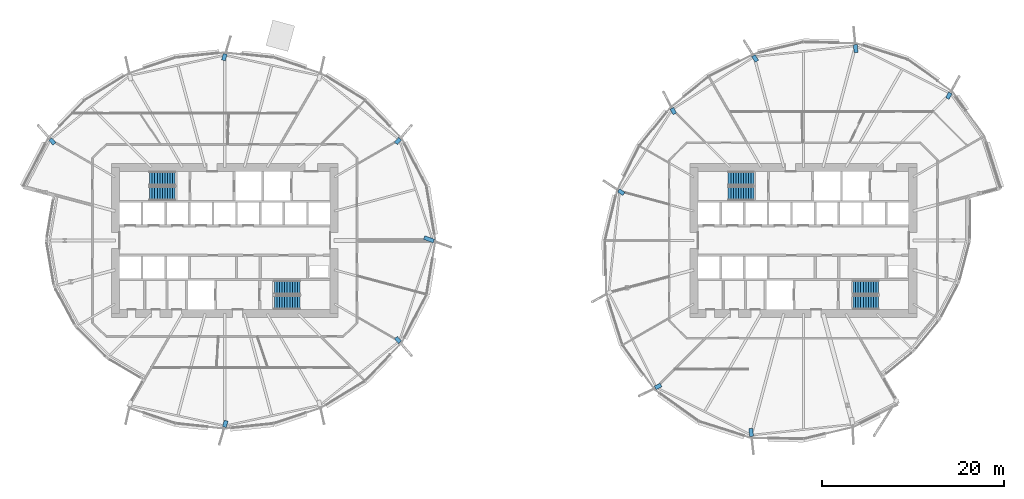
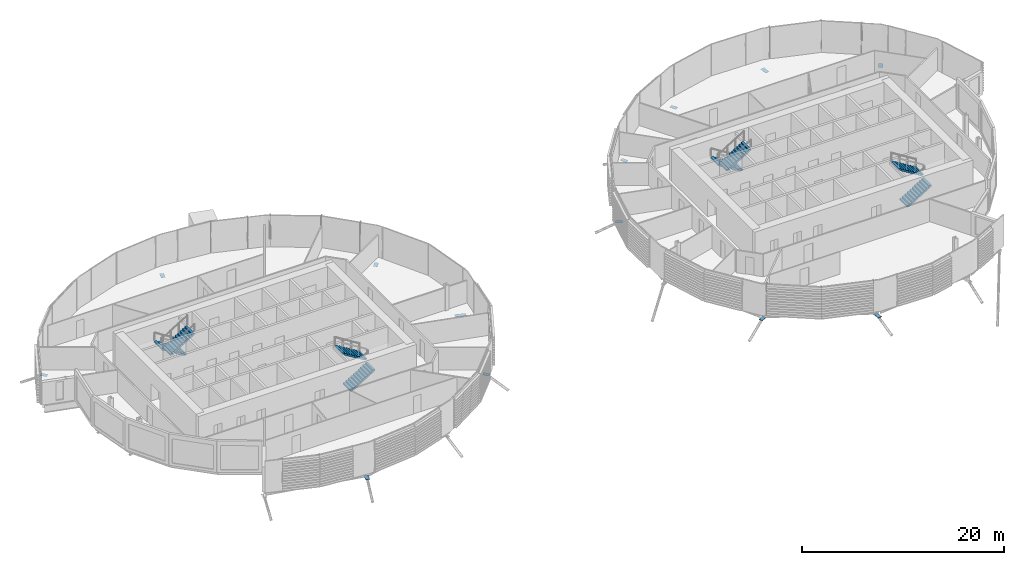
# One storey, part 27 of 38: 13 discrete accessories, 8 stair flights, 4 elements without a shape of their own.
"""IFC4 building model written with IfcOpenShell, lengths in metres."""

from ifc_helpers import new_model, si_unit, direction, frame, origin, origin_2d, place, context, subcontext, project, spatial, polyline, rectangle, outline, extrude, material, material_profile, profile_set, type_object, element, aggregate, save


model = new_model("IFC4")

# Units and contexts
model_context = context("Model", 3, precision=1e-05, world=origin(), true_north=direction((0.0, 1.0)))
body_context = subcontext(model_context, "Body", "Model", "MODEL_VIEW")
ifc_project = project(units=[si_unit("LENGTHUNIT", "METRE"), si_unit("AREAUNIT", "SQUARE_METRE"), si_unit("VOLUMEUNIT", "CUBIC_METRE"), si_unit("PLANEANGLEUNIT", "RADIAN"), si_unit("MASSUNIT", "GRAM", prefix="KILO")], contexts=[model_context])

# Site, building, storey
site_placement = place(None, origin())
site = spatial("IfcSite", under=ifc_project, at=site_placement, CompositionType="ELEMENT")
building_placement = place(site_placement, origin())
building = spatial("IfcBuilding", under=site, at=building_placement, Name="Rimbun Link Towers", CompositionType="ELEMENT")
storey_placement = place(building_placement, frame((0.0, 0.0, 56.60009765625)))
storey = spatial("IfcBuildingStorey", under=building, at=storey_placement, Name="L13", CompositionType="ELEMENT", Elevation=56.60009765625)

# Stair, stair flights
ifc_material_1 = material(Name="Concrete C40/50", Category="concrete")
stair_type = type_object("IfcStairType", Name="Exit stair 3800 rise", PredefinedType="HALF_TURN_STAIR", material=ifc_material_1)
stair_1_placement = place(storey_placement, origin())
stair_1 = element("IfcStair", 1, at=stair_1_placement, inside=storey, type_object=stair_type, Name="L13 EXIT STAIR A", PredefinedType="HALF_TURN_STAIR")
ifc_material_2 = material(Name="Concrete C40/50", Category="concrete")
stair_flight_type = type_object("IfcStairFlightType", Name="Exit stair flight 3800 rise", PredefinedType="STRAIGHT", material=ifc_material_2)
stair_flight_1_placement = place(storey_placement, frame((-37.199951171875, 6.800048828125, 0.0), z_axis=(0.0, 0.0, 1.0), x_axis=(-1.0, 0.0, 0.0)))
stair_flight_1 = element("IfcStairFlight", 2, at=stair_flight_1_placement, type_object=stair_flight_type, Name="ST1 flight 1", NumberOfRisers=11, NumberOfTreads=10, PredefinedType="STRAIGHT", RiserHeight=0.172727273, TreadLength=0.28, context=body_context, shape_type="SweptSolid", body=[
    extrude(outline(polyline([(0.0, 0.0), (0.0, 0.172607421875), (0.280029296875, 0.172607421875), (0.280029296875, 0.345458984375), (0.56005859375, 0.345458984375), (0.56005859375, 0.51806640625), (0.840087890625, 0.51806640625), (0.840087890625, 0.69091796875), (1.1201171875, 0.69091796875), (1.1201171875, 0.863525390625), (1.39990234375, 0.863525390625), (1.39990234375, 1.036376953125), (1.679931640625, 1.036376953125), (1.679931640625, 1.208984375), (1.9599609375, 1.208984375), (1.9599609375, 1.3818359375), (2.239990234375, 1.3818359375), (2.239990234375, 1.554443359375), (2.52001953125, 1.554443359375), (2.52001953125, 1.727294921875), (2.800048828125, 1.727294921875), (2.800048828125, 1.89990234375), (2.800048828125, 1.551025390625), (0.280029296875, 0.0), (0.0, 0.0)])), frame((0.0, 0.75, 0.0), z_axis=(0.0, -1.0, 0.0), x_axis=(1.0, 0.0, 0.0)), (0.0, 0.0, 1.0), 1.5),
])
stair_flight_2_placement = place(storey_placement, frame((-40.0, 5.14990234375, 1.89990234375), z_axis=(0.0, 0.0, 1.0), x_axis=(1.0, 0.0, 0.0)))
stair_flight_2 = element("IfcStairFlight", 3, at=stair_flight_2_placement, type_object=stair_flight_type, Name="ST1 flight 2", NumberOfRisers=11, NumberOfTreads=10, PredefinedType="STRAIGHT", RiserHeight=0.172727273, TreadLength=0.28, context=body_context, shape_type="SweptSolid", body=[
    extrude(outline(polyline([(0.0, 0.0), (0.0, 0.172607421875), (0.280029296875, 0.172607421875), (0.280029296875, 0.345458984375), (0.56005859375, 0.345458984375), (0.56005859375, 0.51806640625), (0.840087890625, 0.51806640625), (0.840087890625, 0.69091796875), (1.1201171875, 0.69091796875), (1.1201171875, 0.863525390625), (1.39990234375, 0.863525390625), (1.39990234375, 1.036376953125), (1.679931640625, 1.036376953125), (1.679931640625, 1.208984375), (1.9599609375, 1.208984375), (1.9599609375, 1.3818359375), (2.239990234375, 1.3818359375), (2.239990234375, 1.554443359375), (2.52001953125, 1.554443359375), (2.52001953125, 1.727294921875), (2.800048828125, 1.727294921875), (2.800048828125, 1.89990234375), (2.800048828125, 1.551025390625), (0.280029296875, 0.0), (0.0, 0.0)])), frame((0.0, 0.75, 0.0), z_axis=(0.0, -1.0, 0.0), x_axis=(1.0, 0.0, 0.0)), (0.0, 0.0, 1.0), 1.5),
])
aggregate(stair_1, [stair_flight_1, stair_flight_2])

stair_2_placement = place(storey_placement, origin())
stair_2 = element("IfcStair", 4, at=stair_2_placement, inside=storey, type_object=stair_type, Name="L13 EXIT STAIR B", PredefinedType="HALF_TURN_STAIR")
stair_flight_3_placement = place(storey_placement, frame((-26.300048828125, -6.800048828125, 0.0), z_axis=(0.0, 0.0, 1.0), x_axis=(1.0, 0.0, 0.0)))
stair_flight_3 = element("IfcStairFlight", 5, at=stair_flight_3_placement, type_object=stair_flight_type, Name="ST2 flight 1", NumberOfRisers=11, NumberOfTreads=10, PredefinedType="STRAIGHT", RiserHeight=0.172727273, TreadLength=0.28, context=body_context, shape_type="SweptSolid", body=[
    extrude(outline(polyline([(0.0, 0.0), (0.0, 0.172607421875), (0.280029296875, 0.172607421875), (0.280029296875, 0.345458984375), (0.56005859375, 0.345458984375), (0.56005859375, 0.51806640625), (0.840087890625, 0.51806640625), (0.840087890625, 0.69091796875), (1.1201171875, 0.69091796875), (1.1201171875, 0.863525390625), (1.39990234375, 0.863525390625), (1.39990234375, 1.036376953125), (1.679931640625, 1.036376953125), (1.679931640625, 1.208984375), (1.9599609375, 1.208984375), (1.9599609375, 1.3818359375), (2.239990234375, 1.3818359375), (2.239990234375, 1.554443359375), (2.52001953125, 1.554443359375), (2.52001953125, 1.727294921875), (2.800048828125, 1.727294921875), (2.800048828125, 1.89990234375), (2.800048828125, 1.551025390625), (0.280029296875, 0.0), (0.0, 0.0)])), frame((0.0, 0.75, 0.0), z_axis=(0.0, -1.0, 0.0), x_axis=(1.0, 0.0, 0.0)), (0.0, 0.0, 1.0), 1.5),
])
stair_flight_4_placement = place(storey_placement, frame((-23.5, -5.14990234375, 1.89990234375), z_axis=(0.0, 0.0, 1.0), x_axis=(-1.0, 0.0, 0.0)))
stair_flight_4 = element("IfcStairFlight", 6, at=stair_flight_4_placement, type_object=stair_flight_type, Name="ST2 flight 2", NumberOfRisers=11, NumberOfTreads=10, PredefinedType="STRAIGHT", RiserHeight=0.172727273, TreadLength=0.28, context=body_context, shape_type="SweptSolid", body=[
    extrude(outline(polyline([(0.0, 0.0), (0.0, 0.172607421875), (0.280029296875, 0.172607421875), (0.280029296875, 0.345458984375), (0.56005859375, 0.345458984375), (0.56005859375, 0.51806640625), (0.840087890625, 0.51806640625), (0.840087890625, 0.69091796875), (1.1201171875, 0.69091796875), (1.1201171875, 0.863525390625), (1.39990234375, 0.863525390625), (1.39990234375, 1.036376953125), (1.679931640625, 1.036376953125), (1.679931640625, 1.208984375), (1.9599609375, 1.208984375), (1.9599609375, 1.3818359375), (2.239990234375, 1.3818359375), (2.239990234375, 1.554443359375), (2.52001953125, 1.554443359375), (2.52001953125, 1.727294921875), (2.800048828125, 1.727294921875), (2.800048828125, 1.89990234375), (2.800048828125, 1.551025390625), (0.280029296875, 0.0), (0.0, 0.0)])), frame((0.0, 0.75, 0.0), z_axis=(0.0, -1.0, 0.0), x_axis=(1.0, 0.0, 0.0)), (0.0, 0.0, 1.0), 1.5),
])
aggregate(stair_2, [stair_flight_3, stair_flight_4])

stair_3_placement = place(storey_placement, origin())
stair_3 = element("IfcStair", 7, at=stair_3_placement, inside=storey, type_object=stair_type, Name="L13 EXIT STAIR A", PredefinedType="HALF_TURN_STAIR")
stair_flight_5_placement = place(storey_placement, frame((26.300048828125, 6.800048828125, 0.0), z_axis=(0.0, 0.0, 1.0), x_axis=(-1.0, 0.0, 0.0)))
stair_flight_5 = element("IfcStairFlight", 8, at=stair_flight_5_placement, type_object=stair_flight_type, Name="ST3 flight 1", NumberOfRisers=11, NumberOfTreads=10, PredefinedType="STRAIGHT", RiserHeight=0.172727273, TreadLength=0.28, context=body_context, shape_type="SweptSolid", body=[
    extrude(outline(polyline([(0.0, 0.0), (0.0, 0.172607421875), (0.280029296875, 0.172607421875), (0.280029296875, 0.345458984375), (0.56005859375, 0.345458984375), (0.56005859375, 0.51806640625), (0.840087890625, 0.51806640625), (0.840087890625, 0.69091796875), (1.1201171875, 0.69091796875), (1.1201171875, 0.863525390625), (1.39990234375, 0.863525390625), (1.39990234375, 1.036376953125), (1.679931640625, 1.036376953125), (1.679931640625, 1.208984375), (1.9599609375, 1.208984375), (1.9599609375, 1.3818359375), (2.239990234375, 1.3818359375), (2.239990234375, 1.554443359375), (2.52001953125, 1.554443359375), (2.52001953125, 1.727294921875), (2.800048828125, 1.727294921875), (2.800048828125, 1.89990234375), (2.800048828125, 1.551025390625), (0.280029296875, 0.0), (0.0, 0.0)])), frame((0.0, 0.75, 0.0), z_axis=(0.0, -1.0, 0.0), x_axis=(1.0, 0.0, 0.0)), (0.0, 0.0, 1.0), 1.5),
])
stair_flight_6_placement = place(storey_placement, frame((23.5, 5.14990234375, 1.89990234375), z_axis=(0.0, 0.0, 1.0), x_axis=(1.0, 0.0, 0.0)))
stair_flight_6 = element("IfcStairFlight", 9, at=stair_flight_6_placement, type_object=stair_flight_type, Name="ST3 flight 2", NumberOfRisers=11, NumberOfTreads=10, PredefinedType="STRAIGHT", RiserHeight=0.172727273, TreadLength=0.28, context=body_context, shape_type="SweptSolid", body=[
    extrude(outline(polyline([(0.0, 0.0), (0.0, 0.172607421875), (0.280029296875, 0.172607421875), (0.280029296875, 0.345458984375), (0.56005859375, 0.345458984375), (0.56005859375, 0.51806640625), (0.840087890625, 0.51806640625), (0.840087890625, 0.69091796875), (1.1201171875, 0.69091796875), (1.1201171875, 0.863525390625), (1.39990234375, 0.863525390625), (1.39990234375, 1.036376953125), (1.679931640625, 1.036376953125), (1.679931640625, 1.208984375), (1.9599609375, 1.208984375), (1.9599609375, 1.3818359375), (2.239990234375, 1.3818359375), (2.239990234375, 1.554443359375), (2.52001953125, 1.554443359375), (2.52001953125, 1.727294921875), (2.800048828125, 1.727294921875), (2.800048828125, 1.89990234375), (2.800048828125, 1.551025390625), (0.280029296875, 0.0), (0.0, 0.0)])), frame((0.0, 0.75, 0.0), z_axis=(0.0, -1.0, 0.0), x_axis=(1.0, 0.0, 0.0)), (0.0, 0.0, 1.0), 1.5),
])
aggregate(stair_3, [stair_flight_5, stair_flight_6])

stair_4_placement = place(storey_placement, origin())
stair_4 = element("IfcStair", 10, at=stair_4_placement, inside=storey, type_object=stair_type, Name="L13 EXIT STAIR B", PredefinedType="HALF_TURN_STAIR")
stair_flight_7_placement = place(storey_placement, frame((37.199951171875, -6.800048828125, 0.0), z_axis=(0.0, 0.0, 1.0), x_axis=(1.0, 0.0, 0.0)))
stair_flight_7 = element("IfcStairFlight", 11, at=stair_flight_7_placement, type_object=stair_flight_type, Name="ST4 flight 1", NumberOfRisers=11, NumberOfTreads=10, PredefinedType="STRAIGHT", RiserHeight=0.172727273, TreadLength=0.28, context=body_context, shape_type="SweptSolid", body=[
    extrude(outline(polyline([(0.0, 0.0), (0.0, 0.172607421875), (0.280029296875, 0.172607421875), (0.280029296875, 0.345458984375), (0.56005859375, 0.345458984375), (0.56005859375, 0.51806640625), (0.840087890625, 0.51806640625), (0.840087890625, 0.69091796875), (1.1201171875, 0.69091796875), (1.1201171875, 0.863525390625), (1.39990234375, 0.863525390625), (1.39990234375, 1.036376953125), (1.679931640625, 1.036376953125), (1.679931640625, 1.208984375), (1.9599609375, 1.208984375), (1.9599609375, 1.3818359375), (2.239990234375, 1.3818359375), (2.239990234375, 1.554443359375), (2.52001953125, 1.554443359375), (2.52001953125, 1.727294921875), (2.800048828125, 1.727294921875), (2.800048828125, 1.89990234375), (2.800048828125, 1.551025390625), (0.280029296875, 0.0), (0.0, 0.0)])), frame((0.0, 0.75, 0.0), z_axis=(0.0, -1.0, 0.0), x_axis=(1.0, 0.0, 0.0)), (0.0, 0.0, 1.0), 1.5),
])
stair_flight_8_placement = place(storey_placement, frame((40.0, -5.14990234375, 1.89990234375), z_axis=(0.0, 0.0, 1.0), x_axis=(-1.0, 0.0, 0.0)))
stair_flight_8 = element("IfcStairFlight", 12, at=stair_flight_8_placement, type_object=stair_flight_type, Name="ST4 flight 2", NumberOfRisers=11, NumberOfTreads=10, PredefinedType="STRAIGHT", RiserHeight=0.172727273, TreadLength=0.28, context=body_context, shape_type="SweptSolid", body=[
    extrude(outline(polyline([(0.0, 0.0), (0.0, 0.172607421875), (0.280029296875, 0.172607421875), (0.280029296875, 0.345458984375), (0.56005859375, 0.345458984375), (0.56005859375, 0.51806640625), (0.840087890625, 0.51806640625), (0.840087890625, 0.69091796875), (1.1201171875, 0.69091796875), (1.1201171875, 0.863525390625), (1.39990234375, 0.863525390625), (1.39990234375, 1.036376953125), (1.679931640625, 1.036376953125), (1.679931640625, 1.208984375), (1.9599609375, 1.208984375), (1.9599609375, 1.3818359375), (2.239990234375, 1.3818359375), (2.239990234375, 1.554443359375), (2.52001953125, 1.554443359375), (2.52001953125, 1.727294921875), (2.800048828125, 1.727294921875), (2.800048828125, 1.89990234375), (2.800048828125, 1.551025390625), (0.280029296875, 0.0), (0.0, 0.0)])), frame((0.0, 0.75, 0.0), z_axis=(0.0, -1.0, 0.0), x_axis=(1.0, 0.0, 0.0)), (0.0, 0.0, 1.0), 1.5),
])
aggregate(stair_4, [stair_flight_7, stair_flight_8])

# Discrete accessories
ifc_material_3 = material(Name="Steel S355J2H", Category="steel")
ifc_material_profile = material_profile(ifc_material_3, rectangle(XDim=0.43310546875, YDim=0.43310546875, at=origin_2d()), Name="PL 433x433")
ifc_profile_set = profile_set([ifc_material_profile], Name="Steel S355J2H")
discrete_accessory_type = type_object("IfcDiscreteAccessoryType", Name="Link head end plate 433X20", PredefinedType="BRACKET", material=ifc_profile_set)
discrete_accessory_1_placement = place(storey_placement, frame((0.0, 0.0, -1.380126953125)))
element("IfcDiscreteAccessory", 13, at=discrete_accessory_1_placement, inside=storey, type_object=discrete_accessory_type, Name="Link head end plate T1 L13 00", PredefinedType="BRACKET", context=body_context, shape_type="SweptSolid", body=[
    extrude(outline(polyline([(-9.94384765625, 0.117919921875), (-8.881103515625, -0.26708984375), (-8.733642578125, 0.14013671875), (-9.79638671875, 0.525146484375), (-9.94384765625, 0.117919921875)])), origin(), (0.0, 0.0, 1.0), 0.02001953125),
])
discrete_accessory_2_placement = place(storey_placement, frame((0.0, 0.0, -0.633544921875)))
element("IfcDiscreteAccessory", 14, at=discrete_accessory_2_placement, inside=storey, type_object=discrete_accessory_type, Name="Link head end plate T1 L13 02", PredefinedType="BRACKET", context=body_context, shape_type="SweptSolid", body=[
    extrude(outline(polyline([(-12.806396484375, 10.51171875), (-12.3583984375, 11.029296875), (-12.685791015625, 11.312744140625), (-13.1337890625, 10.794921875), (-12.806396484375, 10.51171875)])), origin(), (0.0, 0.0, 1.0), 0.02001953125),
])
discrete_accessory_3_placement = place(storey_placement, frame((0.0, 0.0, -0.863525390625)))
element("IfcDiscreteAccessory", 15, at=discrete_accessory_3_placement, inside=storey, type_object=discrete_accessory_type, Name="Link head end plate T1 L13 06", PredefinedType="BRACKET", context=body_context, shape_type="SweptSolid", body=[
    extrude(outline(polyline([(-31.6962890625, 19.71337890625), (-31.49072265625, 20.411865234375), (-31.906005859375, 20.5341796875), (-32.11181640625, 19.8359375), (-31.6962890625, 19.71337890625)])), origin(), (0.0, 0.0, 1.0), 0.02001953125),
])
discrete_accessory_4_placement = place(storey_placement, frame((0.0, 0.0, -0.633544921875)))
element("IfcDiscreteAccessory", 16, at=discrete_accessory_4_placement, inside=storey, type_object=discrete_accessory_type, Name="Link head end plate T1 L13 10", PredefinedType="BRACKET", context=body_context, shape_type="SweptSolid", body=[
    extrude(outline(polyline([(-50.2763671875, 10.7451171875), (-50.739013671875, 11.267578125), (-51.063232421875, 10.980712890625), (-50.6005859375, 10.4580078125), (-50.2763671875, 10.7451171875)])), origin(), (0.0, 0.0, 1.0), 0.02001953125),
])
discrete_accessory_5_placement = place(storey_placement, frame((0.0, 0.0, -0.863525390625)))
element("IfcDiscreteAccessory", 17, at=discrete_accessory_5_placement, inside=storey, type_object=discrete_accessory_type, Name="Link head end plate T1 L13 18", PredefinedType="BRACKET", context=body_context, shape_type="SweptSolid", body=[
    extrude(outline(polyline([(-31.8037109375, -19.71337890625), (-32.00927734375, -20.411865234375), (-31.593994140625, -20.5341796875), (-31.38818359375, -19.8359375), (-31.8037109375, -19.71337890625)])), origin(), (0.0, 0.0, 1.0), 0.02001953125),
])
discrete_accessory_6_placement = place(storey_placement, frame((0.0, 0.0, -0.633544921875)))
element("IfcDiscreteAccessory", 18, at=discrete_accessory_6_placement, inside=storey, type_object=discrete_accessory_type, Name="Link head end plate T1 L13 22", PredefinedType="BRACKET", context=body_context, shape_type="SweptSolid", body=[
    extrude(outline(polyline([(-13.1337890625, -10.794921875), (-12.685791015625, -11.312744140625), (-12.3583984375, -11.029296875), (-12.806396484375, -10.51171875), (-13.1337890625, -10.794921875)])), origin(), (0.0, 0.0, 1.0), 0.02001953125),
])
discrete_accessory_7_placement = place(storey_placement, frame((0.0, 0.0, -0.78271484375)))
element("IfcDiscreteAccessory", 19, at=discrete_accessory_7_placement, inside=storey, type_object=discrete_accessory_type, Name="Link head end plate T2 L13 00", PredefinedType="BRACKET", context=body_context, shape_type="SweptSolid", body=[
    extrude(outline(polyline([(47.732666015625, 15.479248046875), (48.062255859375, 16.09423828125), (47.6806640625, 16.298828125), (47.35107421875, 15.683837890625), (47.732666015625, 15.479248046875)])), origin(), (0.0, 0.0, 1.0), 0.02001953125),
])
discrete_accessory_8_placement = place(storey_placement, frame((0.0, 0.0, -0.9423828125)))
element("IfcDiscreteAccessory", 20, at=discrete_accessory_8_placement, inside=storey, type_object=discrete_accessory_type, Name="Link head end plate T2 L13 02", PredefinedType="BRACKET", context=body_context, shape_type="SweptSolid", body=[
    extrude(outline(polyline([(37.74560546875, 20.660888671875), (37.656982421875, 21.513916015625), (37.226318359375, 21.468994140625), (37.314697265625, 20.6162109375), (37.74560546875, 20.660888671875)])), origin(), (0.0, 0.0, 1.0), 0.02001953125),
])
discrete_accessory_9_placement = place(storey_placement, frame((0.0, 0.0, -0.863525390625)))
element("IfcDiscreteAccessory", 21, at=discrete_accessory_9_placement, inside=storey, type_object=discrete_accessory_type, Name="Link head end plate T2 L13 04", PredefinedType="BRACKET", context=body_context, shape_type="SweptSolid", body=[
    extrude(outline(polyline([(26.822998046875, 19.78662109375), (26.444580078125, 20.396484375), (26.076416015625, 20.168212890625), (26.454833984375, 19.558349609375), (26.822998046875, 19.78662109375)])), origin(), (0.0, 0.0, 1.0), 0.02001953125),
])
discrete_accessory_10_placement = place(storey_placement, frame((0.0, 0.0, -0.633544921875)))
element("IfcDiscreteAccessory", 22, at=discrete_accessory_10_placement, inside=storey, type_object=discrete_accessory_type, Name="Link head end plate T2 L13 06", PredefinedType="BRACKET", context=body_context, shape_type="SweptSolid", body=[
    extrude(outline(polyline([(17.825439453125, 13.9951171875), (17.505615234375, 14.615234375), (17.120849609375, 14.41650390625), (17.440673828125, 13.796630859375), (17.825439453125, 13.9951171875)])), origin(), (0.0, 0.0, 1.0), 0.02001953125),
])
discrete_accessory_11_placement = place(storey_placement, frame((0.0, 0.0, -0.633544921875)))
element("IfcDiscreteAccessory", 23, at=discrete_accessory_11_placement, inside=storey, type_object=discrete_accessory_type, Name="Link head end plate T2 L13 08", PredefinedType="BRACKET", context=body_context, shape_type="SweptSolid", body=[
    extrude(outline(polyline([(12.1630859375, 5.298828125), (11.58740234375, 5.675048828125), (11.3505859375, 5.3125), (11.92626953125, 4.936279296875), (12.1630859375, 5.298828125)])), origin(), (0.0, 0.0, 1.0), 0.02001953125),
])
discrete_accessory_12_placement = place(storey_placement, frame((0.0, 0.0, -0.78271484375)))
element("IfcDiscreteAccessory", 24, at=discrete_accessory_12_placement, inside=storey, type_object=discrete_accessory_type, Name="Link head end plate T2 L13 12", PredefinedType="BRACKET", context=body_context, shape_type="SweptSolid", body=[
    extrude(outline(polyline([(16.02978515625, -15.669921875), (15.390625, -15.986328125), (15.582763671875, -16.37451171875), (16.221923828125, -16.057861328125), (16.02978515625, -15.669921875)])), origin(), (0.0, 0.0, 1.0), 0.02001953125),
])
discrete_accessory_13_placement = place(storey_placement, frame((0.0, 0.0, -0.9423828125)))
element("IfcDiscreteAccessory", 25, at=discrete_accessory_13_placement, inside=storey, type_object=discrete_accessory_type, Name="Link head end plate T2 L13 14", PredefinedType="BRACKET", context=body_context, shape_type="SweptSolid", body=[
    extrude(outline(polyline([(25.75439453125, -20.660888671875), (25.843017578125, -21.513916015625), (26.273681640625, -21.468994140625), (26.185302734375, -20.6162109375), (25.75439453125, -20.660888671875)])), origin(), (0.0, 0.0, 1.0), 0.02001953125),
])

save(model, "model.ifc")
